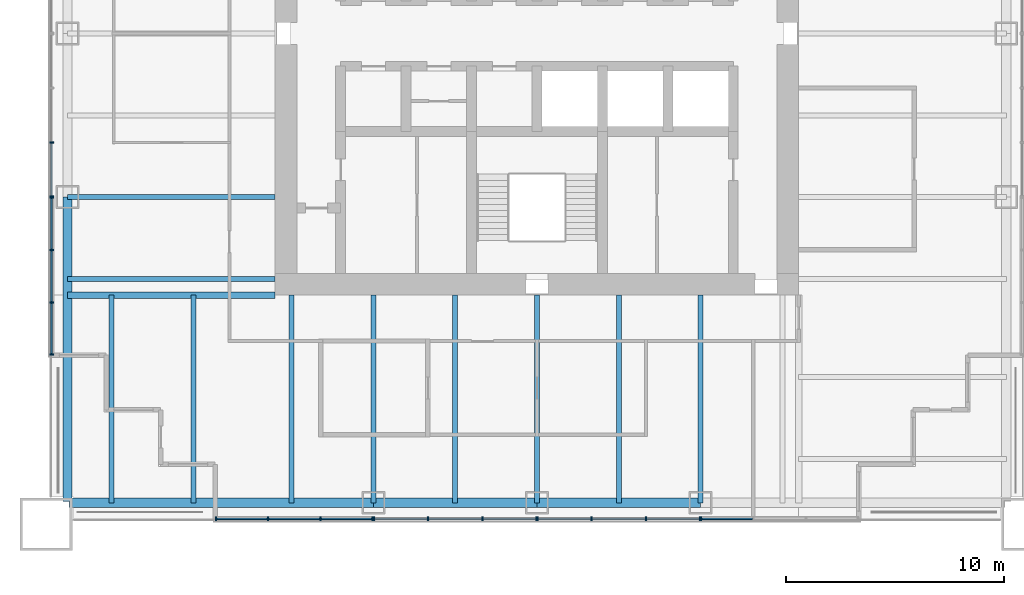
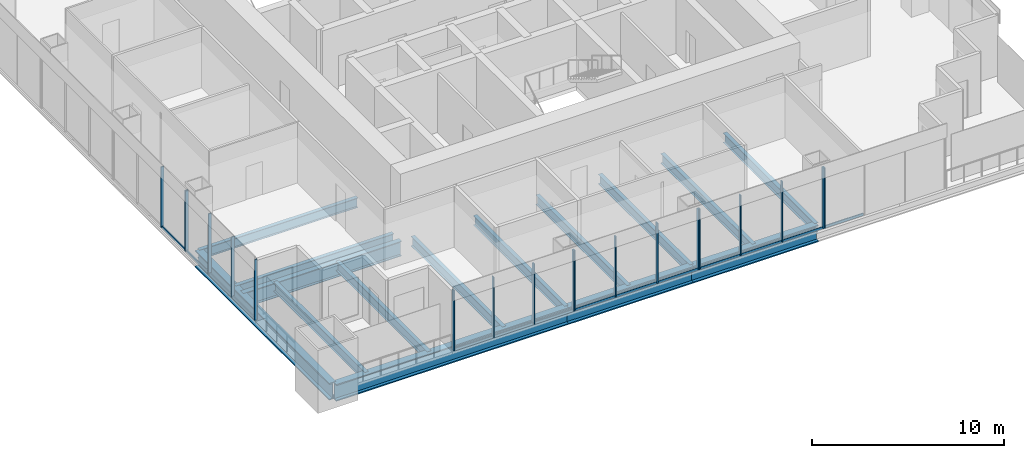
# One storey, part 2 of 13: 33 members, 15 beams, 6 elements without a shape of their own.
"""IFC4 building model written with IfcOpenShell, lengths in metres."""

from ifc_helpers import new_model, si_unit, direction, frame, origin, origin_2d, place, context, subcontext, project, spatial, rectangle, i_section, extrude, material, material_profile, profile_set, type_object, element, aggregate, save


model = new_model("IFC4")

# Units and contexts
model_context = context("Model", 3, precision=1e-05, world=origin(), true_north=direction((0.0, 1.0)))
body_context = subcontext(model_context, "Body", "Model", "MODEL_VIEW")
ifc_project = project(units=[si_unit("LENGTHUNIT", "METRE"), si_unit("AREAUNIT", "SQUARE_METRE"), si_unit("VOLUMEUNIT", "CUBIC_METRE"), si_unit("PLANEANGLEUNIT", "RADIAN"), si_unit("MASSUNIT", "GRAM", prefix="KILO")], contexts=[model_context])

# Site, building, storey
site_placement = place(None, origin())
site = spatial("IfcSite", under=ifc_project, at=site_placement, CompositionType="ELEMENT")
building_placement = place(site_placement, origin())
building = spatial("IfcBuilding", under=site, at=building_placement, Name="Tarangal Relay Tower", CompositionType="ELEMENT")
storey_placement = place(building_placement, frame((0.0, 0.0, 241.89990234375)))
storey = spatial("IfcBuildingStorey", under=building, at=storey_placement, Name="L52", CompositionType="ELEMENT", Elevation=241.89990234375)

# Beams
ifc_material_1 = material(Name="Steel ASTM A992", Category="steel")
ifc_material_profile_1 = material_profile(ifc_material_1, i_section(OverallWidth=0.227783203125, OverallDepth=0.60205078125, WebThickness=0.010498046875, FlangeThickness=0.014892578125, at=origin_2d()), Name="W24X68")
ifc_profile_set_1 = profile_set([ifc_material_profile_1], Name="Steel ASTM A992")
beam_type_1 = type_object("IfcBeamType", Name="Corner beam W24X68", PredefinedType="JOIST", material=ifc_profile_set_1)
for number, where, z_axis, x_axis, name in (
    (1, (-15.75, -12.0, -0.450927734375), (0.0, -1.0, 0.0), (1.0, 0.0, 0.0), "Corner beam CB11 S L52"),
    (2, (-19.5, -12.0, -0.450927734375), (0.0, -1.0, 0.0), (1.0, 0.0, 0.0), "Corner beam CB11 S L52"),
):
    element("IfcBeam", number, at=place(storey_placement, frame(where, z_axis=z_axis, x_axis=x_axis)), inside=storey, type_object=beam_type_1, Name=name, PredefinedType="JOIST", context=body_context, shape_type="SweptSolid", body=[
        extrude(i_section(OverallWidth=0.227783203125, OverallDepth=0.60205078125, WebThickness=0.010498046875, FlangeThickness=0.014892578125, at=origin_2d()), origin(), (0.0, 0.0, 1.0), 9.514892578125),
    ])
ifc_material_profile_2 = material_profile(ifc_material_1, i_section(OverallWidth=0.307373046875, OverallDepth=0.9423828125, WebThickness=0.022216796875, FlangeThickness=0.039794921875, at=origin_2d()), Name="W36X232")
ifc_profile_set_2 = profile_set([ifc_material_profile_2], Name="Steel ASTM A992")
beam_type_2 = type_object("IfcBeamType", Name="Corner girder W36X232", PredefinedType="BEAM", material=ifc_profile_set_2)
beam_placement = place(storey_placement, frame((-12.0, -12.0, -0.62109375), z_axis=(-1.0, 0.0, 0.0), x_axis=(0.0, -1.0, 0.0)))
element("IfcBeam", 3, at=beam_placement, inside=storey, type_object=beam_type_2, Name="Corner girder CG4 S L52", PredefinedType="BEAM", context=body_context, shape_type="SweptSolid", body=[
    extrude(i_section(OverallWidth=0.307373046875, OverallDepth=0.9423828125, WebThickness=0.022216796875, FlangeThickness=0.039794921875, at=origin_2d()), origin(), (0.0, 0.0, 1.0), 9.514892578125),
])
ifc_material_profile_3 = material_profile(ifc_material_1, i_section(OverallWidth=0.41650390625, OverallDepth=1.0693359375, WebThickness=0.0390625, FlangeThickness=0.070068359375, at=origin_2d()), Name="W40X503")
ifc_profile_set_3 = profile_set([ifc_material_profile_3], Name="Steel ASTM A992")
beam_type_3 = type_object("IfcBeamType", Name="Edge girder W40X503", PredefinedType="SPANDREL", material=ifc_profile_set_3)
for number, where, z_axis, x_axis, name in (
    (4, (7.5, -21.514892578125, -0.6845703125), (-1.0, 0.0, 0.0), (0.0, -1.0, 0.0), "Edge girder EG8 S L52"),
    (5, (0.0, -21.514892578125, -0.6845703125), (-1.0, 0.0, 0.0), (0.0, -1.0, 0.0), "Edge girder EG8 S L52"),
):
    element("IfcBeam", number, at=place(storey_placement, frame(where, z_axis=z_axis, x_axis=x_axis)), inside=storey, type_object=beam_type_3, Name=name, PredefinedType="SPANDREL", context=body_context, shape_type="SweptSolid", body=[
        extrude(i_section(OverallWidth=0.41650390625, OverallDepth=1.0693359375, WebThickness=0.0390625, FlangeThickness=0.070068359375, at=origin_2d()), origin(), (0.0, 0.0, 1.0), 7.5),
    ])
for number, where, z_axis, x_axis, name in (
    (6, (-7.5, -21.514892578125, -0.6845703125), (-1.0, 0.0, 0.0), (0.0, -1.0, 0.0), "Edge girder EG8 S L52"),
    (7, (-21.514892578125, -21.449951171875, -0.6845703125), (0.0, 1.0, 0.0), (-1.0, 0.0, 0.0), "Edge girder EG8 W L52"),
):
    element("IfcBeam", number, at=place(storey_placement, frame(where, z_axis=z_axis, x_axis=x_axis)), inside=storey, type_object=beam_type_3, Name=name, PredefinedType="SPANDREL", context=body_context, shape_type="SweptSolid", body=[
        extrude(i_section(OverallWidth=0.41650390625, OverallDepth=1.0693359375, WebThickness=0.0390625, FlangeThickness=0.070068359375, at=origin_2d()), origin(), (0.0, 0.0, 1.0), 13.949951171875),
    ])
ifc_material_profile_4 = material_profile(ifc_material_1, i_section(OverallWidth=0.22900390625, OverallDepth=0.612060546875, WebThickness=0.011962890625, FlangeThickness=0.01953125, at=origin_2d()), Name="W24X84")
ifc_profile_set_4 = profile_set([ifc_material_profile_4], Name="Steel ASTM A992")
beam_type_4 = type_object("IfcBeamType", Name="Floor beam W24X84", PredefinedType="BEAM", material=ifc_profile_set_4)
for number, where, z_axis, x_axis, name in (
    (8, (7.5, -12.0, -0.455810546875), (0.0, -1.0, 0.0), (1.0, 0.0, 0.0), "Floor beam RB12 S L52"),
    (9, (3.75, -12.0, -0.455810546875), (0.0, -1.0, 0.0), (1.0, 0.0, 0.0), "Floor beam RB12 S L52"),
    (10, (0.0, -12.0, -0.455810546875), (0.0, -1.0, 0.0), (1.0, 0.0, 0.0), "Floor beam RB12 S L52"),
    (11, (-3.75, -12.0, -0.455810546875), (0.0, -1.0, 0.0), (1.0, 0.0, 0.0), "Floor beam RB12 S L52"),
    (12, (-7.5, -12.0, -0.455810546875), (0.0, -1.0, 0.0), (1.0, 0.0, 0.0), "Floor beam RB12 S L52"),
    (13, (-11.25, -12.0, -0.455810546875), (0.0, -1.0, 0.0), (1.0, 0.0, 0.0), "Floor beam RB12 S L52"),
    (14, (-12.0, -11.25, -0.455810546875), (-1.0, 0.0, 0.0), (0.0, -1.0, 0.0), "Floor beam RB12 W L52"),
    (15, (-12.0, -7.5, -0.455810546875), (-1.0, 0.0, 0.0), (0.0, -1.0, 0.0), "Floor beam RB12 W L52"),
):
    element("IfcBeam", number, at=place(storey_placement, frame(where, z_axis=z_axis, x_axis=x_axis)), inside=storey, type_object=beam_type_4, Name=name, PredefinedType="BEAM", context=body_context, shape_type="SweptSolid", body=[
        extrude(i_section(OverallWidth=0.22900390625, OverallDepth=0.612060546875, WebThickness=0.011962890625, FlangeThickness=0.01953125, at=origin_2d()), origin(), (0.0, 0.0, 1.0), 9.514892578125),
    ])

# Curtain wall, members
ifc_material_2 = material(Name="Unitised curtain wall, dark glass and black aluminium", Category="aluminium")
curtain_wall_type_1 = type_object("IfcCurtainWallType", Name="Curtain wall CW-A", PredefinedType="USERDEFINED", material=ifc_material_2)
curtain_wall_1_placement = place(storey_placement, origin())
curtain_wall_1 = element("IfcCurtainWall", 16, at=curtain_wall_1_placement, inside=storey, type_object=curtain_wall_type_1, Name="Curtain wall CW-A S facade L52", ObjectType="UNITISED CURTAIN WALL", PredefinedType="USERDEFINED")
ifc_material_3 = material(Name="Black anodised aluminium mullion", Category="aluminium")
ifc_material_profile_5 = material_profile(ifc_material_3, rectangle(XDim=0.175048828125, YDim=0.06494140625, at=origin_2d()), Name="CW-AM 65X175")
ifc_profile_set_5 = profile_set([ifc_material_profile_5], Name="Black anodised aluminium mullion")
member_type_1 = type_object("IfcMemberType", Name="Mullion CW-A 65 x 175", PredefinedType="MULLION", material=ifc_profile_set_5)
member_1_placement = place(storey_placement, frame((7.467529296875, -22.25, 0.0), z_axis=(0.0, 0.0, 1.0), x_axis=(0.0, -1.0, 0.0)))
member_1 = element("IfcMember", 17, at=member_1_placement, type_object=member_type_1, Name="CW-A mullion 1", PredefinedType="MULLION", context=body_context, shape_type="SweptSolid", body=[
    extrude(rectangle(XDim=0.175048828125, YDim=0.06494140625, at=origin_2d()), origin(), (0.0, 0.0, 1.0), 3.85009765625),
])
member_2_placement = place(storey_placement, frame((5.0, -22.25, 0.0), z_axis=(0.0, 0.0, 1.0), x_axis=(0.0, -1.0, 0.0)))
member_2 = element("IfcMember", 18, at=member_2_placement, type_object=member_type_1, Name="CW-A mullion 2", PredefinedType="MULLION", context=body_context, shape_type="SweptSolid", body=[
    extrude(rectangle(XDim=0.175048828125, YDim=0.06494140625, at=origin_2d()), origin(), (0.0, 0.0, 1.0), 3.85009765625),
])
member_3_placement = place(storey_placement, frame((2.5, -22.25, 0.0), z_axis=(0.0, 0.0, 1.0), x_axis=(0.0, -1.0, 0.0)))
member_3 = element("IfcMember", 19, at=member_3_placement, type_object=member_type_1, Name="CW-A mullion 3", PredefinedType="MULLION", context=body_context, shape_type="SweptSolid", body=[
    extrude(rectangle(XDim=0.175048828125, YDim=0.06494140625, at=origin_2d()), origin(), (0.0, 0.0, 1.0), 3.85009765625),
])
member_4_placement = place(storey_placement, frame((0.032470703125, -22.25, 0.0), z_axis=(0.0, 0.0, 1.0), x_axis=(0.0, -1.0, 0.0)))
member_4 = element("IfcMember", 20, at=member_4_placement, type_object=member_type_1, Name="CW-A mullion 4", PredefinedType="MULLION", context=body_context, shape_type="SweptSolid", body=[
    extrude(rectangle(XDim=0.175048828125, YDim=0.06494140625, at=origin_2d()), origin(), (0.0, 0.0, 1.0), 3.85009765625),
])

curtain_wall_2_placement = place(storey_placement, origin())
curtain_wall_2 = element("IfcCurtainWall", 21, at=curtain_wall_2_placement, inside=storey, type_object=curtain_wall_type_1, Name="Curtain wall CW-A S facade L52", ObjectType="UNITISED CURTAIN WALL", PredefinedType="USERDEFINED")
member_5_placement = place(storey_placement, frame((-0.032470703125, -22.25, 0.0), z_axis=(0.0, 0.0, 1.0), x_axis=(0.0, -1.0, 0.0)))
member_5 = element("IfcMember", 22, at=member_5_placement, type_object=member_type_1, Name="CW-A mullion 1", PredefinedType="MULLION", context=body_context, shape_type="SweptSolid", body=[
    extrude(rectangle(XDim=0.175048828125, YDim=0.06494140625, at=origin_2d()), origin(), (0.0, 0.0, 1.0), 3.85009765625),
])
member_6_placement = place(storey_placement, frame((-2.5, -22.25, 0.0), z_axis=(0.0, 0.0, 1.0), x_axis=(0.0, -1.0, 0.0)))
member_6 = element("IfcMember", 23, at=member_6_placement, type_object=member_type_1, Name="CW-A mullion 2", PredefinedType="MULLION", context=body_context, shape_type="SweptSolid", body=[
    extrude(rectangle(XDim=0.175048828125, YDim=0.06494140625, at=origin_2d()), origin(), (0.0, 0.0, 1.0), 3.85009765625),
])
member_7_placement = place(storey_placement, frame((-5.0, -22.25, 0.0), z_axis=(0.0, 0.0, 1.0), x_axis=(0.0, -1.0, 0.0)))
member_7 = element("IfcMember", 24, at=member_7_placement, type_object=member_type_1, Name="CW-A mullion 3", PredefinedType="MULLION", context=body_context, shape_type="SweptSolid", body=[
    extrude(rectangle(XDim=0.175048828125, YDim=0.06494140625, at=origin_2d()), origin(), (0.0, 0.0, 1.0), 3.85009765625),
])
member_8_placement = place(storey_placement, frame((-7.467529296875, -22.25, 0.0), z_axis=(0.0, 0.0, 1.0), x_axis=(0.0, -1.0, 0.0)))
member_8 = element("IfcMember", 25, at=member_8_placement, type_object=member_type_1, Name="CW-A mullion 4", PredefinedType="MULLION", context=body_context, shape_type="SweptSolid", body=[
    extrude(rectangle(XDim=0.175048828125, YDim=0.06494140625, at=origin_2d()), origin(), (0.0, 0.0, 1.0), 3.85009765625),
])

curtain_wall_3_placement = place(storey_placement, origin())
curtain_wall_3 = element("IfcCurtainWall", 26, at=curtain_wall_3_placement, inside=storey, type_object=curtain_wall_type_1, Name="Curtain wall CW-A W facade L52", ObjectType="UNITISED CURTAIN WALL", PredefinedType="USERDEFINED")
member_9_placement = place(storey_placement, frame((-22.25, -7.467529296875, 0.0), z_axis=(0.0, 0.0, 1.0), x_axis=(-1.0, 0.0, 0.0)))
member_9 = element("IfcMember", 27, at=member_9_placement, type_object=member_type_1, Name="CW-A mullion 1", PredefinedType="MULLION", context=body_context, shape_type="SweptSolid", body=[
    extrude(rectangle(XDim=0.175048828125, YDim=0.06494140625, at=origin_2d()), origin(), (0.0, 0.0, 1.0), 3.85009765625),
])
member_10_placement = place(storey_placement, frame((-22.25, -5.0, 0.0), z_axis=(0.0, 0.0, 1.0), x_axis=(-1.0, 0.0, 0.0)))
member_10 = element("IfcMember", 28, at=member_10_placement, type_object=member_type_1, Name="CW-A mullion 2", PredefinedType="MULLION", context=body_context, shape_type="SweptSolid", body=[
    extrude(rectangle(XDim=0.175048828125, YDim=0.06494140625, at=origin_2d()), origin(), (0.0, 0.0, 1.0), 3.85009765625),
])

# Curtain wall, member
ifc_material_4 = material(Name="Unitised curtain wall frame, black aluminium, with metal clad infill walls", Category="aluminium")
curtain_wall_type_2 = type_object("IfcCurtainWallType", Name="Curtain wall CW-AO", PredefinedType="USERDEFINED", material=ifc_material_4)
curtain_wall_4_placement = place(storey_placement, origin())
curtain_wall_4 = element("IfcCurtainWall", 29, at=curtain_wall_4_placement, inside=storey, type_object=curtain_wall_type_2, Name="Curtain wall CW-AO S facade L52", ObjectType="UNITISED CURTAIN WALL", PredefinedType="USERDEFINED")
ifc_material_profile_6 = material_profile(ifc_material_3, rectangle(XDim=0.175048828125, YDim=0.06494140625, at=origin_2d()), Name="CW-AOM 65X175")
ifc_profile_set_6 = profile_set([ifc_material_profile_6], Name="Black anodised aluminium mullion")
member_type_2 = type_object("IfcMemberType", Name="Mullion CW-AO 65 x 175", PredefinedType="MULLION", material=ifc_profile_set_6)
member_11_placement = place(storey_placement, frame((7.532470703125, -22.25, 0.0), z_axis=(0.0, 0.0, 1.0), x_axis=(0.0, -1.0, 0.0)))
member_11 = element("IfcMember", 30, at=member_11_placement, type_object=member_type_2, Name="CW-AO mullion 4", PredefinedType="MULLION", context=body_context, shape_type="SweptSolid", body=[
    extrude(rectangle(XDim=0.175048828125, YDim=0.06494140625, at=origin_2d()), origin(), (0.0, 0.0, 1.0), 3.85009765625),
])

# Curtain wall, members
curtain_wall_5_placement = place(storey_placement, origin())
curtain_wall_5 = element("IfcCurtainWall", 31, at=curtain_wall_5_placement, inside=storey, type_object=curtain_wall_type_2, Name="Curtain wall CW-AO S facade L52", ObjectType="UNITISED CURTAIN WALL", PredefinedType="USERDEFINED")
member_12_placement = place(storey_placement, frame((-7.532470703125, -22.25, 0.0), z_axis=(0.0, 0.0, 1.0), x_axis=(0.0, -1.0, 0.0)))
member_12 = element("IfcMember", 32, at=member_12_placement, type_object=member_type_2, Name="CW-AO mullion 1", PredefinedType="MULLION", context=body_context, shape_type="SweptSolid", body=[
    extrude(rectangle(XDim=0.175048828125, YDim=0.06494140625, at=origin_2d()), origin(), (0.0, 0.0, 1.0), 3.85009765625),
])
member_13_placement = place(storey_placement, frame((-9.916748046875, -22.25, 0.0), z_axis=(0.0, 0.0, 1.0), x_axis=(0.0, -1.0, 0.0)))
member_13 = element("IfcMember", 33, at=member_13_placement, type_object=member_type_2, Name="CW-AO mullion 2", PredefinedType="MULLION", context=body_context, shape_type="SweptSolid", body=[
    extrude(rectangle(XDim=0.175048828125, YDim=0.06494140625, at=origin_2d()), origin(), (0.0, 0.0, 1.0), 3.85009765625),
])
member_14_placement = place(storey_placement, frame((-12.333251953125, -22.25, 0.0), z_axis=(0.0, 0.0, 1.0), x_axis=(0.0, -1.0, 0.0)))
member_14 = element("IfcMember", 34, at=member_14_placement, type_object=member_type_2, Name="CW-AO mullion 3", PredefinedType="MULLION", context=body_context, shape_type="SweptSolid", body=[
    extrude(rectangle(XDim=0.175048828125, YDim=0.06494140625, at=origin_2d()), origin(), (0.0, 0.0, 1.0), 3.85009765625),
])
member_15_placement = place(storey_placement, frame((-14.717529296875, -22.25, 0.0), z_axis=(0.0, 0.0, 1.0), x_axis=(0.0, -1.0, 0.0)))
member_15 = element("IfcMember", 35, at=member_15_placement, type_object=member_type_2, Name="CW-AO mullion 4", PredefinedType="MULLION", context=body_context, shape_type="SweptSolid", body=[
    extrude(rectangle(XDim=0.175048828125, YDim=0.06494140625, at=origin_2d()), origin(), (0.0, 0.0, 1.0), 3.85009765625),
])

curtain_wall_6_placement = place(storey_placement, origin())
curtain_wall_6 = element("IfcCurtainWall", 36, at=curtain_wall_6_placement, inside=storey, type_object=curtain_wall_type_2, Name="Curtain wall CW-AO W facade L52", ObjectType="UNITISED CURTAIN WALL", PredefinedType="USERDEFINED")
member_16_placement = place(storey_placement, frame((-22.25, -14.717529296875, 0.0), z_axis=(0.0, 0.0, 1.0), x_axis=(-1.0, 0.0, 0.0)))
member_16 = element("IfcMember", 37, at=member_16_placement, type_object=member_type_2, Name="CW-AO mullion 1", PredefinedType="MULLION", context=body_context, shape_type="SweptSolid", body=[
    extrude(rectangle(XDim=0.175048828125, YDim=0.06494140625, at=origin_2d()), origin(), (0.0, 0.0, 1.0), 3.85009765625),
])
member_17_placement = place(storey_placement, frame((-22.25, -12.333251953125, 0.0), z_axis=(0.0, 0.0, 1.0), x_axis=(-1.0, 0.0, 0.0)))
member_17 = element("IfcMember", 38, at=member_17_placement, type_object=member_type_2, Name="CW-AO mullion 2", PredefinedType="MULLION", context=body_context, shape_type="SweptSolid", body=[
    extrude(rectangle(XDim=0.175048828125, YDim=0.06494140625, at=origin_2d()), origin(), (0.0, 0.0, 1.0), 3.85009765625),
])
member_18_placement = place(storey_placement, frame((-22.25, -9.916748046875, 0.0), z_axis=(0.0, 0.0, 1.0), x_axis=(-1.0, 0.0, 0.0)))
member_18 = element("IfcMember", 39, at=member_18_placement, type_object=member_type_2, Name="CW-AO mullion 3", PredefinedType="MULLION", context=body_context, shape_type="SweptSolid", body=[
    extrude(rectangle(XDim=0.175048828125, YDim=0.06494140625, at=origin_2d()), origin(), (0.0, 0.0, 1.0), 3.85009765625),
])
member_19_placement = place(storey_placement, frame((-22.25, -7.532470703125, 0.0), z_axis=(0.0, 0.0, 1.0), x_axis=(-1.0, 0.0, 0.0)))
member_19 = element("IfcMember", 40, at=member_19_placement, type_object=member_type_2, Name="CW-AO mullion 4", PredefinedType="MULLION", context=body_context, shape_type="SweptSolid", body=[
    extrude(rectangle(XDim=0.175048828125, YDim=0.06494140625, at=origin_2d()), origin(), (0.0, 0.0, 1.0), 3.85009765625),
])

# Member
ifc_material_5 = material(Name="Black anodised aluminium transom", Category="aluminium")
ifc_material_profile_7 = material_profile(ifc_material_5, rectangle(XDim=0.06494140625, YDim=0.14990234375, at=origin_2d()), Name="CW-AT 65X150")
ifc_profile_set_7 = profile_set([ifc_material_profile_7], Name="Black anodised aluminium transom")
member_type_3 = type_object("IfcMemberType", Name="Transom CW-A 65 x 150", PredefinedType="USERDEFINED", material=ifc_profile_set_7)
member_20_placement = place(storey_placement, frame((7.43505859375, -22.25, 0.03271484375), z_axis=(-1.0, 0.0, 0.0), x_axis=(0.0, -1.0, 0.0)))
member_20 = element("IfcMember", 41, at=member_20_placement, type_object=member_type_3, Name="CW-A transom 1.1", ObjectType="TRANSOM", PredefinedType="USERDEFINED", context=body_context, shape_type="SweptSolid", body=[
    extrude(rectangle(XDim=0.06494140625, YDim=0.14990234375, at=origin_2d()), origin(), (0.0, 0.0, 1.0), 2.402587890625),
])

member_21_placement = place(storey_placement, frame((4.967529296875, -22.25, 0.03271484375), z_axis=(-1.0, 0.0, 0.0), x_axis=(0.0, -1.0, 0.0)))
member_21 = element("IfcMember", 42, at=member_21_placement, type_object=member_type_3, Name="CW-A transom 2.1", ObjectType="TRANSOM", PredefinedType="USERDEFINED", context=body_context, shape_type="SweptSolid", body=[
    extrude(rectangle(XDim=0.06494140625, YDim=0.14990234375, at=origin_2d()), origin(), (0.0, 0.0, 1.0), 2.43505859375),
])

member_22_placement = place(storey_placement, frame((2.467529296875, -22.25, 0.03271484375), z_axis=(-1.0, 0.0, 0.0), x_axis=(0.0, -1.0, 0.0)))
member_22 = element("IfcMember", 43, at=member_22_placement, type_object=member_type_3, Name="CW-A transom 3.1", ObjectType="TRANSOM", PredefinedType="USERDEFINED", context=body_context, shape_type="SweptSolid", body=[
    extrude(rectangle(XDim=0.06494140625, YDim=0.14990234375, at=origin_2d()), origin(), (0.0, 0.0, 1.0), 2.402587890625),
])

aggregate(curtain_wall_1, [member_1, member_2, member_3, member_4, member_20, member_21, member_22])

member_23_placement = place(storey_placement, frame((-0.06494140625, -22.25, 0.03271484375), z_axis=(-1.0, 0.0, 0.0), x_axis=(0.0, -1.0, 0.0)))
member_23 = element("IfcMember", 44, at=member_23_placement, type_object=member_type_3, Name="CW-A transom 1.1", ObjectType="TRANSOM", PredefinedType="USERDEFINED", context=body_context, shape_type="SweptSolid", body=[
    extrude(rectangle(XDim=0.06494140625, YDim=0.14990234375, at=origin_2d()), origin(), (0.0, 0.0, 1.0), 2.402587890625),
])

member_24_placement = place(storey_placement, frame((-2.532470703125, -22.25, 0.03271484375), z_axis=(-1.0, 0.0, 0.0), x_axis=(0.0, -1.0, 0.0)))
member_24 = element("IfcMember", 45, at=member_24_placement, type_object=member_type_3, Name="CW-A transom 2.1", ObjectType="TRANSOM", PredefinedType="USERDEFINED", context=body_context, shape_type="SweptSolid", body=[
    extrude(rectangle(XDim=0.06494140625, YDim=0.14990234375, at=origin_2d()), origin(), (0.0, 0.0, 1.0), 2.43505859375),
])

member_25_placement = place(storey_placement, frame((-5.032470703125, -22.25, 0.03271484375), z_axis=(-1.0, 0.0, 0.0), x_axis=(0.0, -1.0, 0.0)))
member_25 = element("IfcMember", 46, at=member_25_placement, type_object=member_type_3, Name="CW-A transom 3.1", ObjectType="TRANSOM", PredefinedType="USERDEFINED", context=body_context, shape_type="SweptSolid", body=[
    extrude(rectangle(XDim=0.06494140625, YDim=0.14990234375, at=origin_2d()), origin(), (0.0, 0.0, 1.0), 2.402587890625),
])

aggregate(curtain_wall_2, [member_5, member_6, member_7, member_8, member_23, member_24, member_25])

member_26_placement = place(storey_placement, frame((-22.25, -7.43505859375, 0.03271484375), z_axis=(0.0, 1.0, 0.0), x_axis=(-1.0, 0.0, 0.0)))
member_26 = element("IfcMember", 47, at=member_26_placement, type_object=member_type_3, Name="CW-A transom 1.1", ObjectType="TRANSOM", PredefinedType="USERDEFINED", context=body_context, shape_type="SweptSolid", body=[
    extrude(rectangle(XDim=0.06494140625, YDim=0.14990234375, at=origin_2d()), origin(), (0.0, 0.0, 1.0), 2.402587890625),
])

aggregate(curtain_wall_3, [member_9, member_10, member_26])

ifc_material_profile_8 = material_profile(ifc_material_5, rectangle(XDim=0.06494140625, YDim=0.14990234375, at=origin_2d()), Name="CW-AOT 65X150")
ifc_profile_set_8 = profile_set([ifc_material_profile_8], Name="Black anodised aluminium transom")
member_type_4 = type_object("IfcMemberType", Name="Transom CW-AO 65 x 150", PredefinedType="USERDEFINED", material=ifc_profile_set_8)
member_27_placement = place(storey_placement, frame((9.88427734375, -22.25, 0.03271484375), z_axis=(-1.0, 0.0, 0.0), x_axis=(0.0, -1.0, 0.0)))
member_27 = element("IfcMember", 48, at=member_27_placement, type_object=member_type_4, Name="CW-AO transom 3.1", ObjectType="TRANSOM", PredefinedType="USERDEFINED", context=body_context, shape_type="SweptSolid", body=[
    extrude(rectangle(XDim=0.06494140625, YDim=0.14990234375, at=origin_2d()), origin(), (0.0, 0.0, 1.0), 2.3193359375),
])

aggregate(curtain_wall_4, [member_11, member_27])

member_28_placement = place(storey_placement, frame((-7.56494140625, -22.25, 0.03271484375), z_axis=(-1.0, 0.0, 0.0), x_axis=(0.0, -1.0, 0.0)))
member_28 = element("IfcMember", 49, at=member_28_placement, type_object=member_type_4, Name="CW-AO transom 1.1", ObjectType="TRANSOM", PredefinedType="USERDEFINED", context=body_context, shape_type="SweptSolid", body=[
    extrude(rectangle(XDim=0.06494140625, YDim=0.14990234375, at=origin_2d()), origin(), (0.0, 0.0, 1.0), 2.3193359375),
])

member_29_placement = place(storey_placement, frame((-9.94921875, -22.25, 0.03271484375), z_axis=(-1.0, 0.0, 0.0), x_axis=(0.0, -1.0, 0.0)))
member_29 = element("IfcMember", 50, at=member_29_placement, type_object=member_type_4, Name="CW-AO transom 2.1", ObjectType="TRANSOM", PredefinedType="USERDEFINED", context=body_context, shape_type="SweptSolid", body=[
    extrude(rectangle(XDim=0.06494140625, YDim=0.14990234375, at=origin_2d()), origin(), (0.0, 0.0, 1.0), 2.3515625),
])

member_30_placement = place(storey_placement, frame((-12.36572265625, -22.25, 0.03271484375), z_axis=(-1.0, 0.0, 0.0), x_axis=(0.0, -1.0, 0.0)))
member_30 = element("IfcMember", 51, at=member_30_placement, type_object=member_type_4, Name="CW-AO transom 3.1", ObjectType="TRANSOM", PredefinedType="USERDEFINED", context=body_context, shape_type="SweptSolid", body=[
    extrude(rectangle(XDim=0.06494140625, YDim=0.14990234375, at=origin_2d()), origin(), (0.0, 0.0, 1.0), 2.3193359375),
])

aggregate(curtain_wall_5, [member_12, member_13, member_14, member_15, member_28, member_29, member_30])

member_31_placement = place(storey_placement, frame((-22.25, -14.68505859375, 0.03271484375), z_axis=(0.0, 1.0, 0.0), x_axis=(-1.0, 0.0, 0.0)))
member_31 = element("IfcMember", 52, at=member_31_placement, type_object=member_type_4, Name="CW-AO transom 1.1", ObjectType="TRANSOM", PredefinedType="USERDEFINED", context=body_context, shape_type="SweptSolid", body=[
    extrude(rectangle(XDim=0.06494140625, YDim=0.14990234375, at=origin_2d()), origin(), (0.0, 0.0, 1.0), 2.3193359375),
])

member_32_placement = place(storey_placement, frame((-22.25, -12.30078125, 0.03271484375), z_axis=(0.0, 1.0, 0.0), x_axis=(-1.0, 0.0, 0.0)))
member_32 = element("IfcMember", 53, at=member_32_placement, type_object=member_type_4, Name="CW-AO transom 2.1", ObjectType="TRANSOM", PredefinedType="USERDEFINED", context=body_context, shape_type="SweptSolid", body=[
    extrude(rectangle(XDim=0.06494140625, YDim=0.14990234375, at=origin_2d()), origin(), (0.0, 0.0, 1.0), 2.3515625),
])

member_33_placement = place(storey_placement, frame((-22.25, -9.88427734375, 0.03271484375), z_axis=(0.0, 1.0, 0.0), x_axis=(-1.0, 0.0, 0.0)))
member_33 = element("IfcMember", 54, at=member_33_placement, type_object=member_type_4, Name="CW-AO transom 3.1", ObjectType="TRANSOM", PredefinedType="USERDEFINED", context=body_context, shape_type="SweptSolid", body=[
    extrude(rectangle(XDim=0.06494140625, YDim=0.14990234375, at=origin_2d()), origin(), (0.0, 0.0, 1.0), 2.3193359375),
])

aggregate(curtain_wall_6, [member_16, member_17, member_18, member_19, member_31, member_32, member_33])

save(model, "model.ifc")
